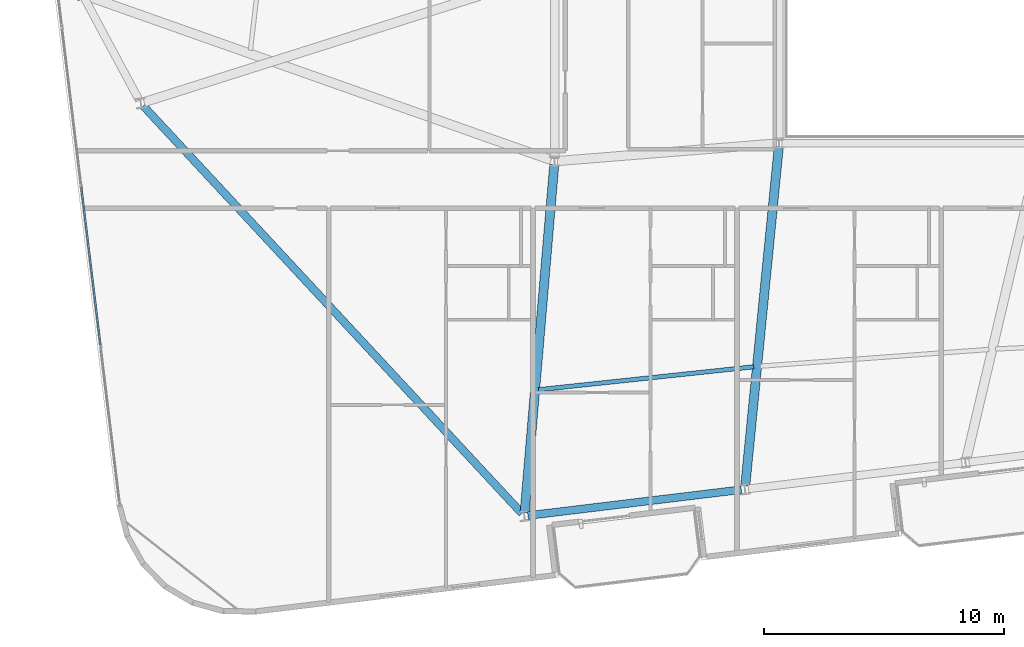
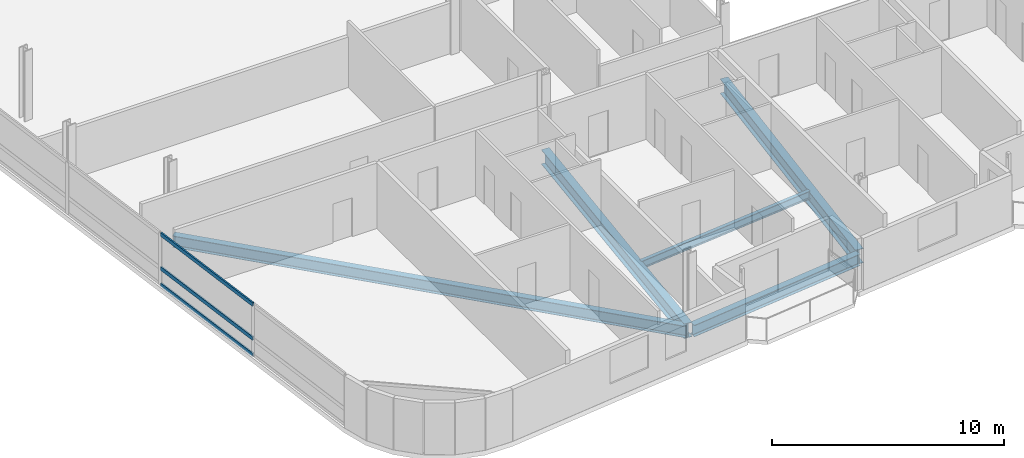
# One storey, part 3 of 24: 5 beams, 3 members, 1 element without a shape of its own.
"""IFC4 building model written with IfcOpenShell, lengths in metres."""

from ifc_helpers import new_model, si_unit, direction, frame, origin, origin_2d, place, context, subcontext, project, spatial, hollow_rectangle, i_section, extrude, material, layer, layer_set, material_profile, profile_set, type_object, element, aggregate, save


model = new_model("IFC4")

# Units and contexts
model_context = context("Model", 3, precision=1e-05, world=origin(), true_north=direction((0.0, 1.0)))
body_context = subcontext(model_context, "Body", "Model", "MODEL_VIEW")
ifc_project = project(units=[si_unit("LENGTHUNIT", "METRE"), si_unit("AREAUNIT", "SQUARE_METRE"), si_unit("VOLUMEUNIT", "CUBIC_METRE"), si_unit("PLANEANGLEUNIT", "RADIAN"), si_unit("MASSUNIT", "GRAM", prefix="KILO")], contexts=[model_context])

# Site, building, storey
site_placement = place(None, origin())
site = spatial("IfcSite", under=ifc_project, at=site_placement, CompositionType="ELEMENT")
building_placement = place(site_placement, origin())
building = spatial("IfcBuilding", under=site, at=building_placement, Name="Varnelok Gate Tower", CompositionType="ELEMENT")
storey_placement = place(building_placement, frame((0.0, 0.0, 196.800048828125)))
storey = spatial("IfcBuildingStorey", under=building, at=storey_placement, Name="L50", CompositionType="ELEMENT", Elevation=196.800048828125)

# Beams
ifc_material_1 = material(Name="Structural Steel ASTM A992 Grade 50", Category="steel")
ifc_material_profile_1 = material_profile(ifc_material_1, i_section(OverallWidth=0.180908203125, OverallDepth=0.4169921875, WebThickness=0.010986328125, FlangeThickness=0.018310546875, FilletRadius=0.013916015625, at=origin_2d()), Name="W16X57")
ifc_profile_set_1 = profile_set([ifc_material_profile_1], Name="Structural Steel ASTM A992 Grade 50")
beam_type_1 = type_object("IfcBeamType", Name="BM-JST-W16X57", PredefinedType="JOIST", material=ifc_profile_set_1)
beam_1_placement = place(storey_placement, frame((23.728271484375, 9.2900390625, -0.45849609375), z_axis=(0.994377086657, 0.105897164887, 0.0), x_axis=(-0.105897164887, 0.994377086657, 0.0)))
element("IfcBeam", 1, at=beam_1_placement, inside=storey, type_object=beam_type_1, Name="L50 Sector Floor Joist 1", PredefinedType="JOIST", context=body_context, shape_type="SweptSolid", body=[
    extrude(i_section(OverallWidth=0.180908203125, OverallDepth=0.4169921875, WebThickness=0.010986328125, FlangeThickness=0.018310546875, FilletRadius=0.013916015625, at=origin_2d()), origin(), (0.0, 0.0, 1.0), 9.014404296875),
])
ifc_material_profile_2 = material_profile(ifc_material_1, i_section(OverallWidth=0.381103515625, OverallDepth=0.77294921875, WebThickness=0.0166015625, FlangeThickness=0.027099609375, FilletRadius=0.02197265625, at=origin_2d()), Name="W30X173")
ifc_profile_set_2 = profile_set([ifc_material_profile_2], Name="Structural Steel ASTM A992 Grade 50")
beam_type_2 = type_object("IfcBeamType", Name="BM-PRI-W30X173", PredefinedType="BEAM", material=ifc_profile_set_2)
beam_2_placement = place(storey_placement, frame((24.38720703125, 18.650390625, -0.636474609375), z_axis=(-0.08482646823, -0.996395739798, 0.0), x_axis=(0.996395739798, -0.08482646823, 0.0)))
element("IfcBeam", 2, at=beam_2_placement, inside=storey, type_object=beam_type_2, Name="L50 Radial Floor Girder 1", PredefinedType="BEAM", context=body_context, shape_type="SweptSolid", body=[
    extrude(i_section(OverallWidth=0.381103515625, OverallDepth=0.77294921875, WebThickness=0.0166015625, FlangeThickness=0.027099609375, FilletRadius=0.02197265625, at=origin_2d()), origin(), (0.0, 0.0, 1.0), 14.52001953125),
])
beam_3_placement = place(storey_placement, frame((33.735107421875, 19.400634765625, -0.636474609375), z_axis=(-0.098420734253, -0.995144893505, 0.0), x_axis=(0.995144893505, -0.098420734253, 0.0)))
element("IfcBeam", 3, at=beam_3_placement, inside=storey, type_object=beam_type_2, Name="L50 Radial Floor Girder 2", PredefinedType="BEAM", context=body_context, shape_type="SweptSolid", body=[
    extrude(i_section(OverallWidth=0.381103515625, OverallDepth=0.77294921875, WebThickness=0.0166015625, FlangeThickness=0.027099609375, FilletRadius=0.02197265625, at=origin_2d()), origin(), (0.0, 0.0, 1.0), 14.174072265625),
])
ifc_material_profile_3 = material_profile(ifc_material_1, i_section(OverallWidth=0.323974609375, OverallDepth=0.611083984375, WebThickness=0.0126953125, FlangeThickness=0.01904296875, FilletRadius=0.01806640625, at=origin_2d()), Name="W24X104")
ifc_profile_set_3 = profile_set([ifc_material_profile_3], Name="Structural Steel ASTM A992 Grade 50")
beam_type_3 = type_object("IfcBeamType", Name="BM-SPN-W24X104", PredefinedType="SPANDREL", material=ifc_profile_set_3)
beam_4_placement = place(storey_placement, frame((23.29150390625, 4.051025390625, -0.5556640625), z_axis=(0.99273141198, 0.120350918849, 0.0), x_axis=(-0.120350918849, 0.99273141198, 0.0)))
element("IfcBeam", 4, at=beam_4_placement, inside=storey, type_object=beam_type_3, Name="L50 Perimeter Spandrel Beam 1", PredefinedType="SPANDREL", context=body_context, shape_type="SweptSolid", body=[
    extrude(i_section(OverallWidth=0.323974609375, OverallDepth=0.611083984375, WebThickness=0.0126953125, FlangeThickness=0.01904296875, FilletRadius=0.01806640625, at=origin_2d()), origin(), (0.0, 0.0, 1.0), 8.949951171875),
])
beam_5_placement = place(storey_placement, frame((7.27685546875, 21.106201171875, -0.5556640625), z_axis=(0.680728456616, -0.732535847828, 0.0), x_axis=(0.732535847828, 0.680728456616, 0.0)))
element("IfcBeam", 5, at=beam_5_placement, inside=storey, type_object=beam_type_3, Name="L50 Perimeter Spandrel Beam 16", PredefinedType="SPANDREL", context=body_context, shape_type="SweptSolid", body=[
    extrude(i_section(OverallWidth=0.323974609375, OverallDepth=0.611083984375, WebThickness=0.0126953125, FlangeThickness=0.01904296875, FilletRadius=0.01806640625, at=origin_2d()), origin(), (0.0, 0.0, 1.0), 23.156982421875),
])

# Curtain wall, members
ifc_material_2 = material(Name="Anodized Aluminum Alloy 6063-T6", Category="aluminium")
ifc_layer = layer(ifc_material_2, 0.179931640625)
ifc_layer_set = layer_set([ifc_layer], Name="Anodized Aluminum Alloy 6063-T6")
curtain_wall_type = type_object("IfcCurtainWallType", Name="CW4-RESIDENCE-VISION", PredefinedType="USERDEFINED", material=ifc_layer_set)
curtain_wall_placement = place(storey_placement, origin())
curtain_wall = element("IfcCurtainWall", 6, at=curtain_wall_placement, inside=storey, type_object=curtain_wall_type, Name="L50 West End Vision Curtain Wall", ObjectType="UNITISED CURTAIN WALL", PredefinedType="USERDEFINED")
ifc_material_profile_4 = material_profile(ifc_material_2, hollow_rectangle(XDim=0.074951171875, YDim=0.199951171875, WallThickness=0.00390625, at=origin_2d()), Name="ALU200X75X4")
ifc_profile_set_4 = profile_set([ifc_material_profile_4], Name="Anodized Aluminum Alloy 6063-T6")
member_type = type_object("IfcMemberType", Name="CW-TRAN-200", PredefinedType="USERDEFINED", material=ifc_profile_set_4)
member_1_placement = place(storey_placement, frame((5.496826171875, 11.15869140625, 0.037353515625), z_axis=(-0.120349029092, 0.992731641078, 0.0), x_axis=(-0.992731641078, -0.120349029092, 0.0)))
member_1 = element("IfcMember", 7, at=member_1_placement, type_object=member_type, Name="CW4 transom 2.1", ObjectType="TRANSOM", PredefinedType="USERDEFINED", context=body_context, shape_type="SweptSolid", body=[
    extrude(hollow_rectangle(XDim=0.074951171875, YDim=0.199951171875, WallThickness=0.00390625, at=origin_2d()), origin(), (0.0, 0.0, 1.0), 6.605224609375),
])
member_2_placement = place(storey_placement, frame((5.496826171875, 11.15869140625, 0.89990234375), z_axis=(-0.120349029092, 0.992731641078, 0.0), x_axis=(-0.992731641078, -0.120349029092, 0.0)))
member_2 = element("IfcMember", 8, at=member_2_placement, type_object=member_type, Name="CW4 transom 2.2", ObjectType="TRANSOM", PredefinedType="USERDEFINED", context=body_context, shape_type="SweptSolid", body=[
    extrude(hollow_rectangle(XDim=0.074951171875, YDim=0.199951171875, WallThickness=0.00390625, at=origin_2d()), origin(), (0.0, 0.0, 1.0), 6.605224609375),
])
member_3_placement = place(storey_placement, frame((5.496826171875, 11.15869140625, 2.6923828125), z_axis=(-0.120349029092, 0.992731641078, 0.0), x_axis=(-0.992731641078, -0.120349029092, 0.0)))
member_3 = element("IfcMember", 9, at=member_3_placement, type_object=member_type, Name="CW4 transom 2.3", ObjectType="TRANSOM", PredefinedType="USERDEFINED", context=body_context, shape_type="SweptSolid", body=[
    extrude(hollow_rectangle(XDim=0.074951171875, YDim=0.199951171875, WallThickness=0.00390625, at=origin_2d()), origin(), (0.0, 0.0, 1.0), 6.605224609375),
])
aggregate(curtain_wall, [member_1, member_2, member_3])

save(model, "model.ifc")
